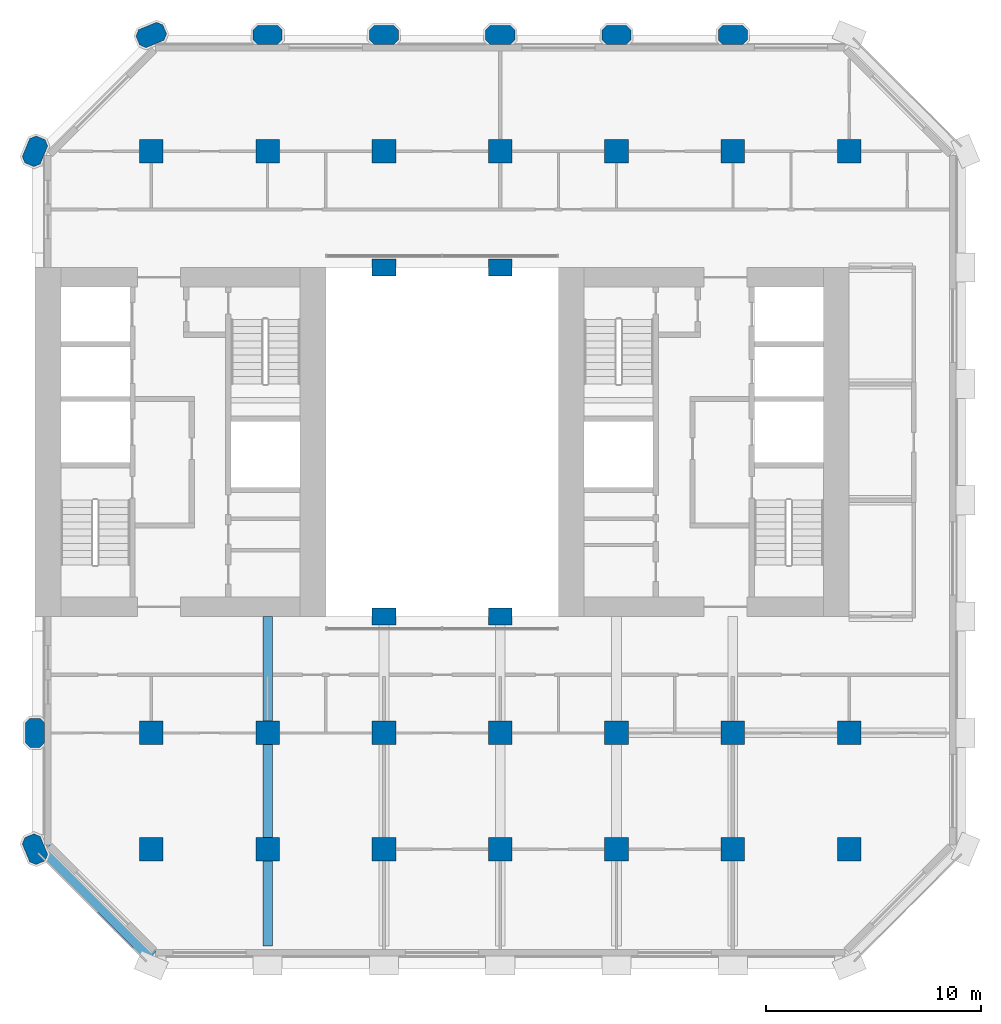
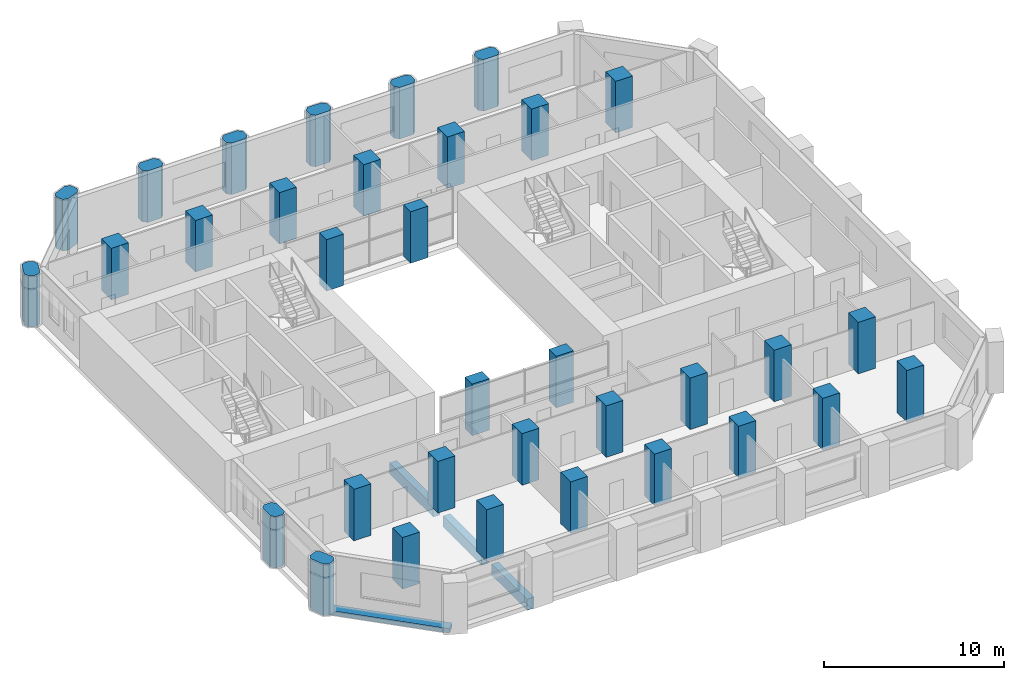
# One storey, part 1 of 13: 34 columns, 4 beams.
"""IFC4 building model written with IfcOpenShell, lengths in metres."""

from ifc_helpers import new_model, si_unit, direction, frame, origin, origin_2d, place, context, subcontext, project, spatial, polyline, rectangle, outline, extrude, material, material_profile, profile_set, type_object, element, save


model = new_model("IFC4")

# Units and contexts
model_context = context("Model", 3, precision=1e-05, world=origin(), true_north=direction((0.0, 1.0)))
body_context = subcontext(model_context, "Body", "Model", "MODEL_VIEW")
ifc_project = project(units=[si_unit("LENGTHUNIT", "METRE"), si_unit("AREAUNIT", "SQUARE_METRE"), si_unit("VOLUMEUNIT", "CUBIC_METRE"), si_unit("PLANEANGLEUNIT", "RADIAN"), si_unit("MASSUNIT", "GRAM", prefix="KILO")], contexts=[model_context])

# Site, building, storey
site_placement = place(None, origin())
site = spatial("IfcSite", under=ifc_project, at=site_placement, CompositionType="ELEMENT")
building_placement = place(site_placement, origin())
building = spatial("IfcBuilding", under=site, at=building_placement, Name="Tabaq Tower and Sports Hall", CompositionType="ELEMENT")
storey_placement = place(building_placement, frame((0.0, 0.0, 41.199951171875)))
storey = spatial("IfcBuildingStorey", under=building, at=storey_placement, Name="L08", CompositionType="ELEMENT", Elevation=41.199951171875)

# Columns
ifc_material_1 = material(Name="Concrete C60/75", Category="concrete")
ifc_material_profile_1 = material_profile(ifc_material_1, rectangle(XDim=1.10009765625, YDim=0.800048828125, at=origin_2d()), Name="ATRIUM COLUMN 1100x800")
ifc_profile_set_1 = profile_set([ifc_material_profile_1], Name="Concrete C60/75")
column_type_1 = type_object("IfcColumnType", Name="RC COLUMN ATRIUM COLUMN 1100x800 C60/75", PredefinedType="COLUMN", material=ifc_profile_set_1)
for number, where, z_axis, x_axis, name in (
    (1, (21.60009765625, 16.199951171875, 0.0), (0.0, 0.0, 1.0), (1.0, 0.0, 0.0), "Atrium Column 5/D L08"),
    (2, (27.0, 16.199951171875, 0.0), (0.0, 0.0, 1.0), (1.0, 0.0, 0.0), "Atrium Column 6/D L08"),
    (3, (21.60009765625, 32.39990234375, 0.0), (0.0, 0.0, 1.0), (1.0, 0.0, 0.0), "Atrium Column 5/G L08"),
    (4, (27.0, 32.39990234375, 0.0), (0.0, 0.0, 1.0), (1.0, 0.0, 0.0), "Atrium Column 6/G L08"),
):
    element("IfcColumn", number, at=place(storey_placement, frame(where, z_axis=z_axis, x_axis=x_axis)), inside=storey, type_object=column_type_1, Name=name, PredefinedType="COLUMN", context=body_context, shape_type="SweptSolid", body=[
        extrude(rectangle(XDim=1.10009765625, YDim=0.800048828125, at=origin_2d()), origin(), (0.0, 0.0, 1.0), 3.5),
    ])
ifc_material_2 = material(Name="Concrete C60/75", Category="concrete")
ifc_material_profile_2 = material_profile(ifc_material_2, rectangle(XDim=1.10009765625, YDim=1.10009765625, at=origin_2d()), Name="COLUMN 1100x1100")
ifc_profile_set_2 = profile_set([ifc_material_profile_2], Name="Concrete C60/75")
column_type_2 = type_object("IfcColumnType", Name="RC COLUMN COLUMN 1100x1100 C60/75", PredefinedType="COLUMN", material=ifc_profile_set_2)
for number, where, z_axis, x_axis, name in (
    (5, (10.800048828125, 5.39990234375, 0.0), (0.0, 0.0, 1.0), (1.0, 0.0, 0.0), "Column 3/B L08"),
    (6, (16.199951171875, 5.39990234375, 0.0), (0.0, 0.0, 1.0), (1.0, 0.0, 0.0), "Column 4/B L08"),
    (7, (21.60009765625, 5.39990234375, 0.0), (0.0, 0.0, 1.0), (1.0, 0.0, 0.0), "Column 5/B L08"),
    (8, (27.0, 5.39990234375, 0.0), (0.0, 0.0, 1.0), (1.0, 0.0, 0.0), "Column 6/B L08"),
    (9, (32.39990234375, 5.39990234375, 0.0), (0.0, 0.0, 1.0), (1.0, 0.0, 0.0), "Column 7/B L08"),
    (10, (37.800048828125, 5.39990234375, 0.0), (0.0, 0.0, 1.0), (1.0, 0.0, 0.0), "Column 8/B L08"),
    (11, (43.199951171875, 5.39990234375, 0.0), (0.0, 0.0, 1.0), (1.0, 0.0, 0.0), "Column 9/B L08"),
    (12, (10.800048828125, 10.800048828125, 0.0), (0.0, 0.0, 1.0), (1.0, 0.0, 0.0), "Column 3/C L08"),
    (13, (16.199951171875, 10.800048828125, 0.0), (0.0, 0.0, 1.0), (1.0, 0.0, 0.0), "Column 4/C L08"),
    (14, (21.60009765625, 10.800048828125, 0.0), (0.0, 0.0, 1.0), (1.0, 0.0, 0.0), "Column 5/C L08"),
    (15, (27.0, 10.800048828125, 0.0), (0.0, 0.0, 1.0), (1.0, 0.0, 0.0), "Column 6/C L08"),
    (16, (32.39990234375, 10.800048828125, 0.0), (0.0, 0.0, 1.0), (1.0, 0.0, 0.0), "Column 7/C L08"),
    (17, (37.800048828125, 10.800048828125, 0.0), (0.0, 0.0, 1.0), (1.0, 0.0, 0.0), "Column 8/C L08"),
    (18, (43.199951171875, 10.800048828125, 0.0), (0.0, 0.0, 1.0), (1.0, 0.0, 0.0), "Column 9/C L08"),
    (19, (10.800048828125, 37.800048828125, 0.0), (0.0, 0.0, 1.0), (1.0, 0.0, 0.0), "Column 3/H L08"),
    (20, (16.199951171875, 37.800048828125, 0.0), (0.0, 0.0, 1.0), (1.0, 0.0, 0.0), "Column 4/H L08"),
    (21, (21.60009765625, 37.800048828125, 0.0), (0.0, 0.0, 1.0), (1.0, 0.0, 0.0), "Column 5/H L08"),
    (22, (27.0, 37.800048828125, 0.0), (0.0, 0.0, 1.0), (1.0, 0.0, 0.0), "Column 6/H L08"),
    (23, (32.39990234375, 37.800048828125, 0.0), (0.0, 0.0, 1.0), (1.0, 0.0, 0.0), "Column 7/H L08"),
    (24, (37.800048828125, 37.800048828125, 0.0), (0.0, 0.0, 1.0), (1.0, 0.0, 0.0), "Column 8/H L08"),
    (25, (43.199951171875, 37.800048828125, 0.0), (0.0, 0.0, 1.0), (1.0, 0.0, 0.0), "Column 9/H L08"),
):
    element("IfcColumn", number, at=place(storey_placement, frame(where, z_axis=z_axis, x_axis=x_axis)), inside=storey, type_object=column_type_2, Name=name, PredefinedType="COLUMN", context=body_context, shape_type="SweptSolid", body=[
        extrude(rectangle(XDim=1.10009765625, YDim=1.10009765625, at=origin_2d()), origin(), (0.0, 0.0, 1.0), 3.5),
    ])
ifc_material_3 = material(Name="Concrete C60/75", Category="concrete")
ifc_material_profile_3 = material_profile(ifc_material_3, outline(polyline([(-0.449951171875, -0.449951171875), (0.449951171875, -0.449951171875), (0.675048828125, -0.22509765625), (0.675048828125, 0.22509765625), (0.449951171875, 0.449951171875), (-0.449951171875, 0.449951171875), (-0.675048828125, 0.22509765625), (-0.675048828125, -0.22509765625), (-0.449951171875, -0.449951171875)])), Name="PIER 1350x900")
ifc_profile_set_3 = profile_set([ifc_material_profile_3], Name="Concrete C60/75")
column_type_3 = type_object("IfcColumnType", Name="RC COLUMN PIER 1350x900 C60/75", PredefinedType="COLUMN", material=ifc_profile_set_3)
for number, where, z_axis, x_axis, name in (
    (26, (5.39990234375, 5.39990234375, 0.0), (0.0, 0.0, 1.0), (-0.382683432365, 0.923879532511, 0.0), "Pier 2/B L08"),
    (27, (5.39990234375, 10.800048828125, 0.0), (0.0, 0.0, 1.0), (0.0, 1.0, 0.0), "Pier 2/C L08"),
    (28, (5.39990234375, 37.800048828125, 0.0), (0.0, 0.0, 1.0), (0.382683432365, 0.923879532511, 0.0), "Pier 2/H L08"),
    (29, (10.800048828125, 43.199951171875, 0.0), (0.0, 0.0, 1.0), (0.923879532511, 0.382683432365, 0.0), "Pier 3/I L08"),
    (30, (16.199951171875, 43.199951171875, 0.0), (0.0, 0.0, 1.0), (1.0, 0.0, 0.0), "Pier 4/I L08"),
    (31, (21.60009765625, 43.199951171875, 0.0), (0.0, 0.0, 1.0), (1.0, 0.0, 0.0), "Pier 5/I L08"),
    (32, (27.0, 43.199951171875, 0.0), (0.0, 0.0, 1.0), (1.0, 0.0, 0.0), "Pier 6/I L08"),
    (33, (32.39990234375, 43.199951171875, 0.0), (0.0, 0.0, 1.0), (1.0, 0.0, 0.0), "Pier 7/I L08"),
    (34, (37.800048828125, 43.199951171875, 0.0), (0.0, 0.0, 1.0), (1.0, 0.0, 0.0), "Pier 8/I L08"),
):
    element("IfcColumn", number, at=place(storey_placement, frame(where, z_axis=z_axis, x_axis=x_axis)), inside=storey, type_object=column_type_3, Name=name, PredefinedType="COLUMN", context=body_context, shape_type="SweptSolid", body=[
        extrude(outline(polyline([(-0.449951171875, -0.449951171875), (0.449951171875, -0.449951171875), (0.675048828125, -0.22509765625), (0.675048828125, 0.22509765625), (0.449951171875, 0.449951171875), (-0.449951171875, 0.449951171875), (-0.675048828125, 0.22509765625), (-0.675048828125, -0.22509765625), (-0.449951171875, -0.449951171875)])), origin(), (0.0, 0.0, 1.0), 3.5),
    ])

# Beams
ifc_material_4 = material(Name="Concrete C40/50", Category="concrete")
ifc_material_profile_4 = material_profile(ifc_material_4, rectangle(XDim=0.449951171875, YDim=0.75, at=origin_2d()), Name="CB 450x750")
ifc_profile_set_4 = profile_set([ifc_material_profile_4], Name="Concrete C40/50")
beam_type_1 = type_object("IfcBeamType", Name="PT CANTILEVER BEAM CB 450x750 C40/50", PredefinedType="BEAM", material=ifc_profile_set_4)
beam_1_placement = place(storey_placement, frame((16.199951171875, 0.89990234375, -0.675048828125), z_axis=(0.0, 1.0, 0.0), x_axis=(-1.0, 0.0, 0.0)))
element("IfcBeam", 35, at=beam_1_placement, inside=storey, type_object=beam_type_1, Name="Cantilever Beam L08 S3 span 1", PredefinedType="BEAM", context=body_context, shape_type="SweptSolid", body=[
    extrude(rectangle(XDim=0.449951171875, YDim=0.75, at=origin_2d()), origin(), (0.0, 0.0, 1.0), 3.9501953125),
])
beam_2_placement = place(storey_placement, frame((16.199951171875, 5.949951171875, -0.675048828125), z_axis=(0.0, 1.0, 0.0), x_axis=(-1.0, 0.0, 0.0)))
element("IfcBeam", 36, at=beam_2_placement, inside=storey, type_object=beam_type_1, Name="Cantilever Beam L08 S3 span 2", PredefinedType="BEAM", context=body_context, shape_type="SweptSolid", body=[
    extrude(rectangle(XDim=0.449951171875, YDim=0.75, at=origin_2d()), origin(), (0.0, 0.0, 1.0), 4.300048828125),
])
beam_3_placement = place(storey_placement, frame((16.199951171875, 11.35009765625, -0.675048828125), z_axis=(0.0, 1.0, 0.0), x_axis=(-1.0, 0.0, 0.0)))
element("IfcBeam", 37, at=beam_3_placement, inside=storey, type_object=beam_type_1, Name="Cantilever Beam L08 S3 span 3", PredefinedType="BEAM", context=body_context, shape_type="SweptSolid", body=[
    extrude(rectangle(XDim=0.449951171875, YDim=0.75, at=origin_2d()), origin(), (0.0, 0.0, 1.0), 4.849853515625),
])
ifc_material_5 = material(Name="Concrete C40/50", Category="concrete")
ifc_material_profile_5 = material_profile(ifc_material_5, rectangle(XDim=0.60009765625, YDim=0.300048828125, at=origin_2d()), Name="EB 600x300")
ifc_profile_set_5 = profile_set([ifc_material_profile_5], Name="Concrete C40/50")
beam_type_2 = type_object("IfcBeamType", Name="PT EDGE BEAM EB 600x300 C40/50", PredefinedType="SPANDREL", material=ifc_profile_set_5)
beam_4_placement = place(storey_placement, frame((5.788818359375, 5.435302734375, -0.14990234375), z_axis=(0.707124002701, -0.707089559252, 0.0), x_axis=(0.707089559252, 0.707124002701, 0.0)))
element("IfcBeam", 38, at=beam_4_placement, inside=storey, type_object=beam_type_2, Name="Edge Beam L08 5", PredefinedType="SPANDREL", context=body_context, shape_type="SweptSolid", body=[
    extrude(rectangle(XDim=0.60009765625, YDim=0.300048828125, at=origin_2d()), origin(), (0.0, 0.0, 1.0), 7.088134765625),
])

save(model, "model.ifc")
